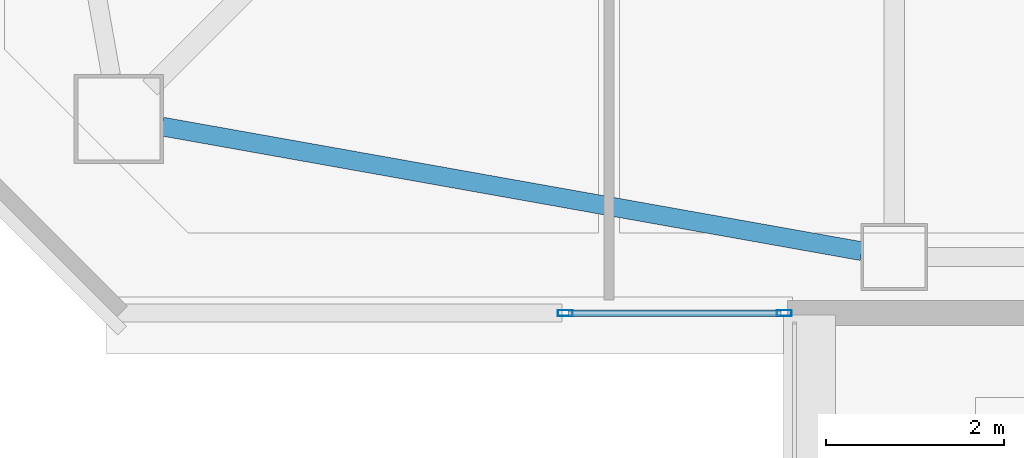
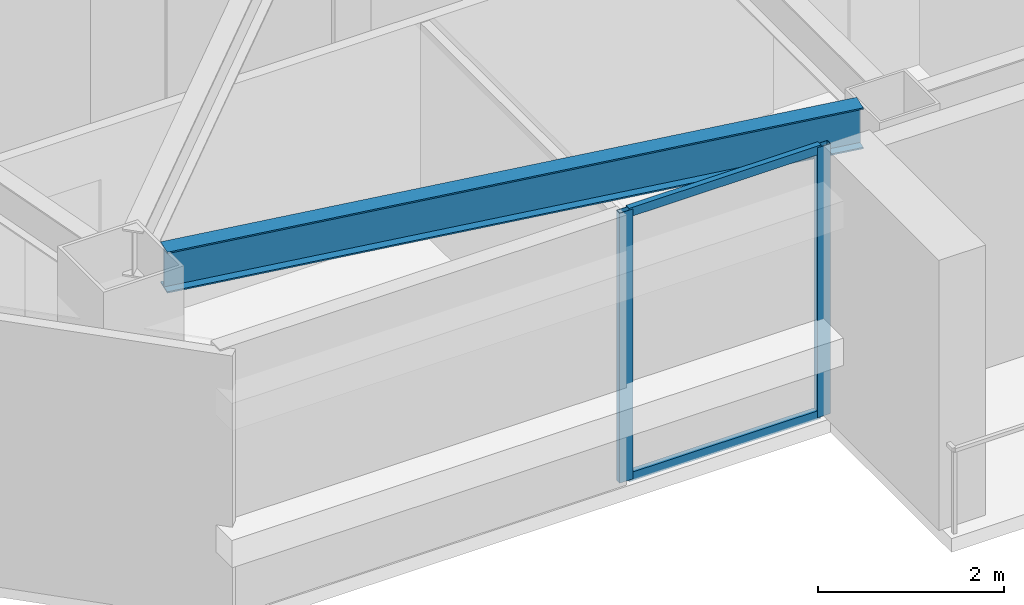
# One storey, part 3 of 39: 4 members, 1 beam, 1 element without a shape of its own.
"""IFC4 building model written with IfcOpenShell, lengths in metres."""

from ifc_helpers import new_model, si_unit, direction, frame, origin, origin_2d, place, context, subcontext, project, spatial, hollow_rectangle, i_section, extrude, material, material_profile, profile_set, type_object, element, aggregate, save


model = new_model("IFC4")

# Units and contexts
model_context = context("Model", 3, precision=1e-05, world=origin(), true_north=direction((0.0, 1.0)))
body_context = subcontext(model_context, "Body", "Model", "MODEL_VIEW")
ifc_project = project(units=[si_unit("LENGTHUNIT", "METRE"), si_unit("AREAUNIT", "SQUARE_METRE"), si_unit("VOLUMEUNIT", "CUBIC_METRE"), si_unit("PLANEANGLEUNIT", "RADIAN"), si_unit("MASSUNIT", "GRAM", prefix="KILO")], contexts=[model_context])

# Site, building, storey
site_placement = place(None, origin())
site = spatial("IfcSite", under=ifc_project, at=site_placement, CompositionType="ELEMENT")
building_placement = place(site_placement, origin())
building = spatial("IfcBuilding", under=site, at=building_placement, Name="Tashvorn Skyway Center", CompositionType="ELEMENT")
storey_placement = place(building_placement, frame((0.0, 0.0, 225.5)))
storey = spatial("IfcBuildingStorey", under=building, at=storey_placement, Name="L61", CompositionType="ELEMENT", Elevation=225.5)

# Beam
ifc_material_1 = material(Name="Steel ASTM A992 Grade 50", Category="steel")
ifc_material_profile_1 = material_profile(ifc_material_1, i_section(OverallWidth=0.2109375, OverallDepth=0.5390625, WebThickness=0.01171875, FlangeThickness=0.018798828125, at=origin_2d()), Name="W21X73")
ifc_profile_set_1 = profile_set([ifc_material_profile_1], Name="Steel ASTM A992 Grade 50")
beam_type = type_object("IfcBeamType", Name="BM-SPANDREL-W21X73", PredefinedType="SPANDREL", material=ifc_profile_set_1)
beam_placement = place(storey_placement, frame((28.38720703125, 17.813232421875, 3.1005859375), z_axis=(0.984494883191, -0.17541329759, 0.0), x_axis=(0.17541329759, 0.984494883191, 0.0)))
element("IfcBeam", 1, at=beam_placement, inside=storey, type_object=beam_type, Name="Tower 1 L61 Spandrel Beam 01", PredefinedType="SPANDREL", context=body_context, shape_type="SweptSolid", body=[
    extrude(i_section(OverallWidth=0.2109375, OverallDepth=0.5390625, WebThickness=0.01171875, FlangeThickness=0.018798828125, at=origin_2d()), origin(), (0.0, 0.0, 1.0), 7.97216796875),
])

# Curtain wall, members
ifc_material_2 = material(Name="Thermally broken bronze-anodized aluminium 6063-T6", Category="aluminium")
curtain_wall_type = type_object("IfcCurtainWallType", Name="CW-CW-Z5", PredefinedType="NOTDEFINED", material=ifc_material_2)
curtain_wall_placement = place(storey_placement, origin())
curtain_wall = element("IfcCurtainWall", 2, at=curtain_wall_placement, inside=storey, type_object=curtain_wall_type, Name="Tower 1 L61 South Curtain Wall R Glazing Group 1", PredefinedType="NOTDEFINED")
ifc_material_profile_2 = material_profile(ifc_material_2, hollow_rectangle(XDim=0.070068359375, YDim=0.1650390625, WallThickness=0.00390625, at=origin_2d()), Name="ALU-MULL-70x165")
ifc_profile_set_2 = profile_set([ifc_material_profile_2], Name="Thermally broken bronze-anodized aluminium 6063-T6")
member_type_1 = type_object("IfcMemberType", Name="CWM-CW-Z5", PredefinedType="MULLION", material=ifc_profile_set_2)
member_1_placement = place(storey_placement, frame((35.364990234375, 15.719970703125, 0.0), z_axis=(0.0, 0.0, 1.0), x_axis=(0.0, -1.0, 0.0)))
member_1 = element("IfcMember", 3, at=member_1_placement, type_object=member_type_1, Name="CW-Z5 mullion 1", PredefinedType="MULLION", context=body_context, shape_type="SweptSolid", body=[
    extrude(hollow_rectangle(XDim=0.070068359375, YDim=0.1650390625, WallThickness=0.00390625, at=origin_2d()), origin(), (0.0, 0.0, 1.0), 3.550048828125),
])
member_2_placement = place(storey_placement, frame((32.908203125, 15.719970703125, 0.0), z_axis=(0.0, 0.0, 1.0), x_axis=(0.0, -1.0, 0.0)))
member_2 = element("IfcMember", 4, at=member_2_placement, type_object=member_type_1, Name="CW-Z5 mullion 2", PredefinedType="MULLION", context=body_context, shape_type="SweptSolid", body=[
    extrude(hollow_rectangle(XDim=0.070068359375, YDim=0.1650390625, WallThickness=0.00390625, at=origin_2d()), origin(), (0.0, 0.0, 1.0), 3.550048828125),
])
ifc_material_profile_3 = material_profile(ifc_material_2, hollow_rectangle(XDim=0.070068359375, YDim=0.114990234375, WallThickness=0.00390625, at=origin_2d()), Name="ALU-TRAN-70x115")
ifc_profile_set_3 = profile_set([ifc_material_profile_3], Name="Thermally broken bronze-anodized aluminium 6063-T6")
member_type_2 = type_object("IfcMemberType", Name="CWT-CW-Z5", PredefinedType="USERDEFINED", material=ifc_profile_set_3)
member_3_placement = place(storey_placement, frame((35.330078125, 15.719970703125, 0.034912109375), z_axis=(-1.0, 0.0, 0.0), x_axis=(0.0, -1.0, 0.0)))
member_3 = element("IfcMember", 5, at=member_3_placement, type_object=member_type_2, Name="CW-Z5 transom 1.1", ObjectType="TRANSOM", PredefinedType="USERDEFINED", context=body_context, shape_type="SweptSolid", body=[
    extrude(hollow_rectangle(XDim=0.070068359375, YDim=0.114990234375, WallThickness=0.00390625, at=origin_2d()), origin(), (0.0, 0.0, 1.0), 2.38671875),
])
member_4_placement = place(storey_placement, frame((35.330078125, 15.719970703125, 3.514892578125), z_axis=(-1.0, 0.0, 0.0), x_axis=(0.0, -1.0, 0.0)))
member_4 = element("IfcMember", 6, at=member_4_placement, type_object=member_type_2, Name="CW-Z5 transom 1.2", ObjectType="TRANSOM", PredefinedType="USERDEFINED", context=body_context, shape_type="SweptSolid", body=[
    extrude(hollow_rectangle(XDim=0.070068359375, YDim=0.114990234375, WallThickness=0.00390625, at=origin_2d()), origin(), (0.0, 0.0, 1.0), 2.38671875),
])
aggregate(curtain_wall, [member_1, member_2, member_3, member_4])

save(model, "model.ifc")
